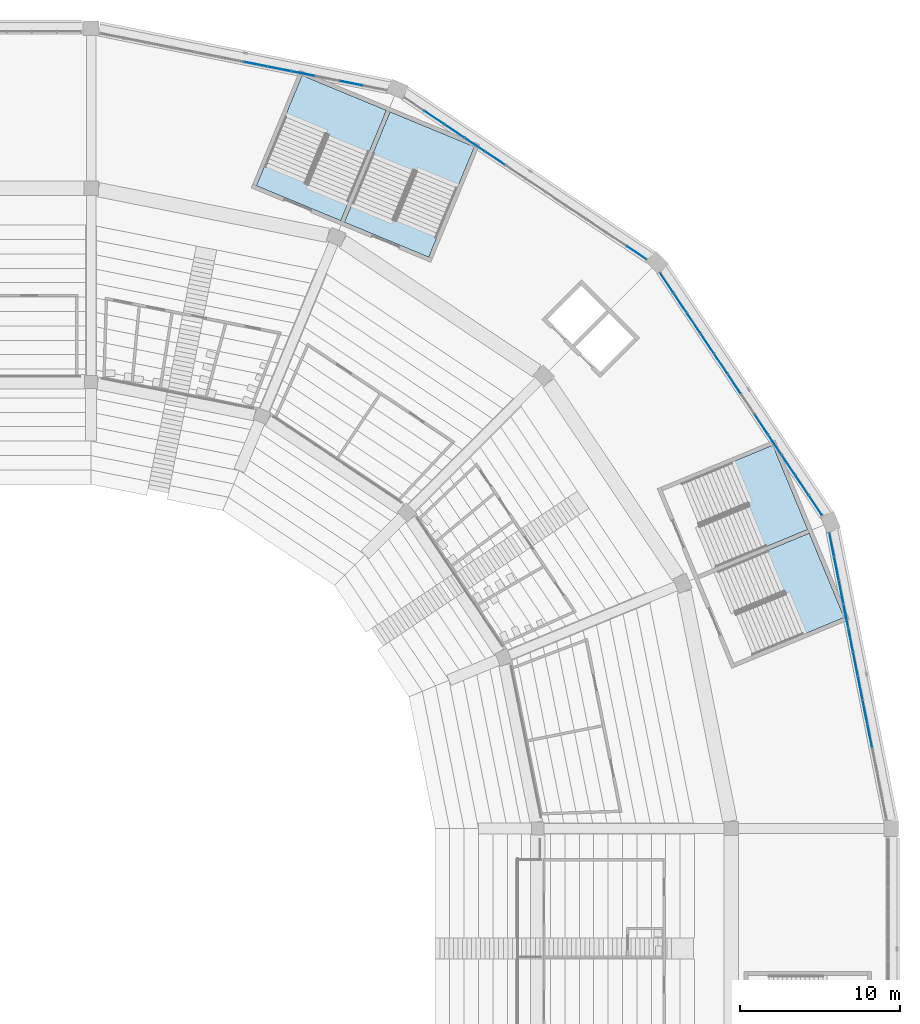
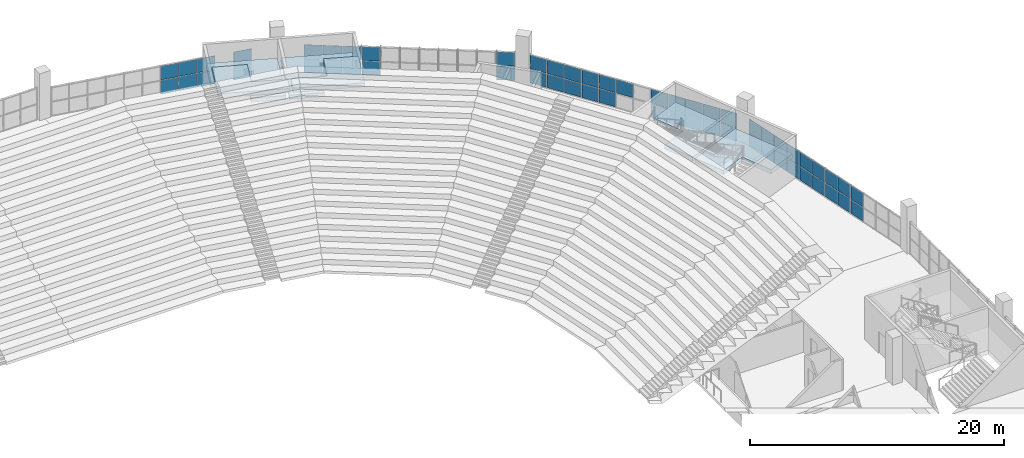
# One storey, part 83 of 249: 57 plates, 6 slabs, 8 elements without a shape of their own.
"""IFC4 building model written with IfcOpenShell, lengths in metres."""

import ifcopenshell
import ifcopenshell.guid

model = None  # the IFC model being written
_history = None  # IfcOwnerHistory: only IFC2X3 demands one
_inside = {}  # id of a spatial element -> (the spatial element, [elements in it])
_under = {}  # id of a project, library or spatial element -> (it, [spatial elements below it])
_declared = {}  # id of a project -> (the project, [libraries it declares])
_typed = {}  # id of a type object -> (the type object, [elements of that type])
_made_of = {}  # id of a material, layer set ... -> (it, [elements and type objects made of it])


def new_model(schema):
    """Start an empty IFC model of exactly this schema.

    Asked for "IFC4X3", IfcOpenShell would pick the latest addendum, in which some entities
    have other attributes; the version numbers below select the first issue.
    IFC2X3 requires an IfcOwnerHistory on every rooted entity: one is made here for all.
    """
    global model, _history
    if schema == "IFC4X3":
        model = ifcopenshell.file(schema_version=(4, 3, 0, 0))
    else:
        model = ifcopenshell.file(schema=schema)
    _inside.clear()
    _under.clear()
    _declared.clear()
    _typed.clear()
    _made_of.clear()
    _history = None
    if model.schema == "IFC2X3":
        org = make("IfcOrganization", Name="unknown")
        user = make(
            "IfcPersonAndOrganization",
            ThePerson=make("IfcPerson", FamilyName="unknown"),
            TheOrganization=org,
        )
        app = make(
            "IfcApplication",
            ApplicationDeveloper=org,
            Version="unknown",
            ApplicationFullName="unknown",
            ApplicationIdentifier="unknown",
        )
        _history = make(
            "IfcOwnerHistory",
            OwningUser=user,
            OwningApplication=app,
            ChangeAction="ADDED",
            CreationDate=0,
        )
    return model


def make(cls, **values):
    """One entity of the class cls with the attributes given. An attribute that is None is left unset."""
    return model.create_entity(
        cls, **{name: value for name, value in values.items() if value is not None}
    )


def rooted(cls, **values):
    """An entity with a GlobalId (a new one), such as an element, a storey or a relation."""
    return make(cls, GlobalId=ifcopenshell.guid.new(), OwnerHistory=_history, **values)


def si_unit(unit_type, name, prefix=None):
    """IfcSIUnit, for example si_unit("LENGTHUNIT", "METRE", prefix="MILLI")."""
    return make("IfcSIUnit", UnitType=unit_type, Prefix=prefix, Name=name)


def assignment(units):
    """IfcUnitAssignment: the units of a project."""
    return None if units is None else make("IfcUnitAssignment", Units=units)


def point(xyz):
    """IfcCartesianPoint."""
    return None if xyz is None else make("IfcCartesianPoint", Coordinates=xyz)


def direction(xyz):
    """IfcDirection."""
    return None if xyz is None else make("IfcDirection", DirectionRatios=xyz)


def frame(location, z_axis=None, x_axis=None):
    """IfcAxis2Placement3D, a coordinate frame: its origin and axes. An axis left out is left unset."""
    return make(
        "IfcAxis2Placement3D",
        Location=point(location),
        Axis=direction(z_axis),
        RefDirection=direction(x_axis),
    )


def frame_2d(location, x_axis=None):
    """IfcAxis2Placement2D, a coordinate frame in the plane: its origin and x axis."""
    return make(
        "IfcAxis2Placement2D", Location=point(location), RefDirection=direction(x_axis)
    )


def origin():
    """The frame at (0, 0, 0) with its axes left unset."""
    return frame((0.0, 0.0, 0.0))


def origin_2d():
    """The frame at (0, 0) in the plane with its x axis left unset."""
    return frame_2d((0.0, 0.0))


def place(relative_to, where):
    """IfcLocalPlacement: puts the frame where relative to a parent placement (None: the world)."""
    return make(
        "IfcLocalPlacement", PlacementRelTo=relative_to, RelativePlacement=where
    )


def context(
    kind, dimensions, precision=None, world=None, true_north=None, identifier=None
):
    """IfcGeometricRepresentationContext, for example the 3D "Model" context."""
    return make(
        "IfcGeometricRepresentationContext",
        ContextIdentifier=identifier,
        ContextType=kind,
        CoordinateSpaceDimension=dimensions,
        Precision=precision,
        WorldCoordinateSystem=world,
        TrueNorth=true_north,
    )


def subcontext(parent, identifier, kind, view, scale=None):
    """IfcGeometricRepresentationSubContext, for example "Body" below "Model"."""
    return make(
        "IfcGeometricRepresentationSubContext",
        ContextIdentifier=identifier,
        ContextType=kind,
        ParentContext=parent,
        TargetScale=scale,
        TargetView=view,
    )


def project(units=None, contexts=None):
    """IfcProject with its units and contexts."""
    return rooted(
        "IfcProject",
        Name="project",
        RepresentationContexts=contexts,
        UnitsInContext=assignment(units),
    )


def spatial(cls, under=None, at=None, **own):
    """A site, building, storey or space (cls), placed at a placement, below another one or the project."""
    s = rooted(cls, ObjectPlacement=at, **own)
    if under is not None:
        _under.setdefault(under.id(), (under, []))[1].append(s)
    return s


def polyline(points):
    """IfcPolyline through the points."""
    return make("IfcPolyline", Points=[point(p) for p in points])


def profile(cls, at=None, kind="AREA", **sizes):
    """A parametric profile (cls). Its sizes go by their IFC names, for example OverallWidth=200.0."""
    return make(cls, ProfileType=kind, Position=at, **sizes)


def rectangle(**sizes):
    """IfcRectangleProfileDef."""
    return profile("IfcRectangleProfileDef", **sizes)


def outline(outer, holes=None, kind="AREA"):
    """IfcArbitraryClosedProfileDef: a profile drawn as a closed curve; with holes, ...WithVoids."""
    if holes is None:
        return make("IfcArbitraryClosedProfileDef", ProfileType=kind, OuterCurve=outer)
    return make(
        "IfcArbitraryProfileDefWithVoids",
        ProfileType=kind,
        OuterCurve=outer,
        InnerCurves=holes,
    )


def extrude(swept, where, along, depth):
    """IfcExtrudedAreaSolid: the profile swept, set in the frame where, extruded along a direction by depth."""
    return make(
        "IfcExtrudedAreaSolid",
        SweptArea=swept,
        Position=where,
        ExtrudedDirection=direction(along),
        Depth=depth,
    )


def shape(context_of_items, identifier, shape_type, items):
    """IfcShapeRepresentation: the items that make up one representation, for example the "Body"."""
    return make(
        "IfcShapeRepresentation",
        ContextOfItems=context_of_items,
        RepresentationIdentifier=identifier,
        RepresentationType=shape_type,
        Items=items,
    )


def material(Name=None, Category=None):
    """IfcMaterial."""
    return make("IfcMaterial", Name=Name, Category=Category)


def layer(
    of_material, thickness, ventilated=None, Name=None, Category=None, Priority=None
):
    """IfcMaterialLayer: one layer of a wall or slab, of a material (None: an air gap)."""
    return make(
        "IfcMaterialLayer",
        Material=of_material,
        LayerThickness=thickness,
        IsVentilated=ventilated,
        Name=Name,
        Category=Category,
        Priority=Priority,
    )


def layer_set(layers, Name=None):
    """IfcMaterialLayerSet."""
    return make("IfcMaterialLayerSet", MaterialLayers=layers, LayerSetName=Name)


def made_of(thing, what):
    """Note that an element or type object is made of a material, layer set ...; save() writes the relation."""
    if what is not None:
        _made_of.setdefault(what.id(), (what, []))[1].append(thing)
    return thing


def type_object(cls, material=None, **own):
    """A type object (cls), such as IfcWallType, which elements share."""
    return made_of(rooted(cls, **own), material)


def element(
    cls,
    number,
    at=None,
    inside=None,
    cuts=None,
    type_object=None,
    material=None,
    context=None,
    identifier="Body",
    shape_type=None,
    held_by="IfcProductDefinitionShape",
    body=None,
    shapes=None,
    **own,
):
    """One element of the class cls, such as IfcWall. Its Tag is "e" and its number.

    at: its placement. inside: the storey or other place that contains it. cuts: it is an
    opening in that element (IfcRelVoidsElement). A single representation is given by context,
    identifier, shape_type and body (its items); several are given by shapes. held_by: the class
    of the entity that holds the representations. save() writes the other relations.
    """
    e = rooted(cls, Tag="e%d" % number, ObjectPlacement=at, **own)
    if body is not None:
        shapes = [shape(context, identifier, shape_type, body)]
    if shapes is not None:
        e.Representation = make(held_by, Representations=shapes)
    if inside is not None:
        _inside.setdefault(inside.id(), (inside, []))[1].append(e)
    if cuts is not None:
        rooted(
            "IfcRelVoidsElement", RelatingBuildingElement=cuts, RelatedOpeningElement=e
        )
    if type_object is not None:
        _typed.setdefault(type_object.id(), (type_object, []))[1].append(e)
    return made_of(e, material)


def aggregate(whole, parts):
    """IfcRelAggregates: a whole, such as a stair, and the parts it consists of."""
    return rooted("IfcRelAggregates", RelatingObject=whole, RelatedObjects=parts)


def save(model, path):
    """Write the relations noted so far, then the file.

    IfcRelAggregates (storeys below a building ...), IfcRelContainedInSpatialStructure (elements
    in a storey), IfcRelDefinesByType, IfcRelAssociatesMaterial and IfcRelDeclares: one each for
    every whole, place, type object, material and project.
    """
    for whole, parts in _under.values():
        aggregate(whole, parts)
    for where, things in _inside.values():
        rooted(
            "IfcRelContainedInSpatialStructure",
            RelatedElements=things,
            RelatingStructure=where,
        )
    for kind, things in _typed.values():
        rooted("IfcRelDefinesByType", RelatedObjects=things, RelatingType=kind)
    for what, things in _made_of.values():
        rooted("IfcRelAssociatesMaterial", RelatedObjects=things, RelatingMaterial=what)
    for by, libraries in _declared.values():
        rooted("IfcRelDeclares", RelatingContext=by, RelatedDefinitions=libraries)
    model.write(path)


model = new_model("IFC4")

# Units and contexts
model_context = context("Model", 3, precision=1e-05, world=origin(), true_north=direction((0.0, 1.0)))
body_context = subcontext(model_context, "Body", "Model", "MODEL_VIEW")
ifc_project = project(units=[si_unit("LENGTHUNIT", "METRE"), si_unit("AREAUNIT", "SQUARE_METRE"), si_unit("VOLUMEUNIT", "CUBIC_METRE"), si_unit("PLANEANGLEUNIT", "RADIAN"), si_unit("MASSUNIT", "GRAM", prefix="KILO")], contexts=[model_context])

# Site, building, storey
site_placement = place(None, origin())
site = spatial("IfcSite", under=ifc_project, at=site_placement, CompositionType="ELEMENT")
building_placement = place(site_placement, origin())
building = spatial("IfcBuilding", under=site, at=building_placement, Name="Ogive Plaza Stadium", CompositionType="ELEMENT")
storey_placement = place(building_placement, frame((0.0, 0.0, 13.5)))
storey = spatial("IfcBuildingStorey", under=building, at=storey_placement, Name="L03", CompositionType="ELEMENT", Elevation=13.5)

# Curtain wall, plates
ifc_material_1 = material(Name="Bronze-anodised aluminium with laminated glass", Category="aluminium")
curtain_wall_type = type_object("IfcCurtainWallType", Name="Lancet curtain wall", PredefinedType="NOTDEFINED", material=ifc_material_1)
curtain_wall_1_placement = place(storey_placement, origin())
curtain_wall_1 = element("IfcCurtainWall", 1, at=curtain_wall_1_placement, inside=storey, type_object=curtain_wall_type, Name="CURTAIN WALL B37 L03", PredefinedType="NOTDEFINED")
ifc_material_2 = material(Name="Laminated glass", Category="glass")
ifc_layer_1 = layer(ifc_material_2, 0.028076171875)
ifc_layer_set_1 = layer_set([ifc_layer_1], Name="Laminated glass panel 28")
plate_type = type_object("IfcPlateType", Name="Laminated glass panel 28", PredefinedType="CURTAIN_PANEL", material=ifc_layer_set_1)
plate_1_placement = place(storey_placement, frame((44.274658203125, 100.25244140625, 0.0498046875), z_axis=(0.0, 0.0, 1.0), x_axis=(0.9807852804, -0.195090322033, 0.0)))
plate_1 = element("IfcPlate", 2, at=plate_1_placement, type_object=plate_type, Name="CW-B37-L03 panel 7.1", PredefinedType="CURTAIN_PANEL", context=body_context, shape_type="SweptSolid", body=[
    extrude(rectangle(XDim=1.472412109375, YDim=0.028076171875, at=origin_2d()), origin(), (0.0, 0.0, 1.0), 1.320068359375),
])
plate_2_placement = place(storey_placement, frame((44.274658203125, 100.25244140625, 1.419921875), z_axis=(0.0, 0.0, 1.0), x_axis=(0.9807852804, -0.195090322033, 0.0)))
plate_2 = element("IfcPlate", 3, at=plate_2_placement, type_object=plate_type, Name="CW-B37-L03 panel 7.2", PredefinedType="CURTAIN_PANEL", context=body_context, shape_type="SweptSolid", body=[
    extrude(rectangle(XDim=1.472412109375, YDim=0.028076171875, at=origin_2d()), origin(), (0.0, 0.0, 1.0), 1.320068359375),
])
plate_3_placement = place(storey_placement, frame((45.767822265625, 99.955322265625, 0.0498046875), z_axis=(0.0, 0.0, 1.0), x_axis=(0.9807852804, -0.195090322033, 0.0)))
plate_3 = element("IfcPlate", 4, at=plate_3_placement, type_object=plate_type, Name="CW-B37-L03 panel 8.1", PredefinedType="CURTAIN_PANEL", context=body_context, shape_type="SweptSolid", body=[
    extrude(rectangle(XDim=1.472412109375, YDim=0.028076171875, at=origin_2d()), origin(), (0.0, 0.0, 1.0), 1.320068359375),
])
plate_4_placement = place(storey_placement, frame((45.767822265625, 99.955322265625, 1.419921875), z_axis=(0.0, 0.0, 1.0), x_axis=(0.9807852804, -0.195090322033, 0.0)))
plate_4 = element("IfcPlate", 5, at=plate_4_placement, type_object=plate_type, Name="CW-B37-L03 panel 8.2", PredefinedType="CURTAIN_PANEL", context=body_context, shape_type="SweptSolid", body=[
    extrude(rectangle(XDim=1.472412109375, YDim=0.028076171875, at=origin_2d()), origin(), (0.0, 0.0, 1.0), 1.320068359375),
])
plate_5_placement = place(storey_placement, frame((47.2607421875, 99.658447265625, 0.0498046875), z_axis=(0.0, 0.0, 1.0), x_axis=(0.9807852804, -0.195090322033, 0.0)))
plate_5 = element("IfcPlate", 6, at=plate_5_placement, type_object=plate_type, Name="CW-B37-L03 panel 9.1", PredefinedType="CURTAIN_PANEL", context=body_context, shape_type="SweptSolid", body=[
    extrude(rectangle(XDim=1.472412109375, YDim=0.028076171875, at=origin_2d()), origin(), (0.0, 0.0, 1.0), 1.320068359375),
])
plate_6_placement = place(storey_placement, frame((47.2607421875, 99.658447265625, 1.419921875), z_axis=(0.0, 0.0, 1.0), x_axis=(0.9807852804, -0.195090322033, 0.0)))
plate_6 = element("IfcPlate", 7, at=plate_6_placement, type_object=plate_type, Name="CW-B37-L03 panel 9.2", PredefinedType="CURTAIN_PANEL", context=body_context, shape_type="SweptSolid", body=[
    extrude(rectangle(XDim=1.472412109375, YDim=0.028076171875, at=origin_2d()), origin(), (0.0, 0.0, 1.0), 1.320068359375),
])
plate_7_placement = place(storey_placement, frame((50.2470703125, 99.064453125, 0.0498046875), z_axis=(0.0, 0.0, 1.0), x_axis=(0.9807852804, -0.195090322033, 0.0)))
plate_7 = element("IfcPlate", 8, at=plate_7_placement, type_object=plate_type, Name="CW-B37-L03 panel 11.1", PredefinedType="CURTAIN_PANEL", context=body_context, shape_type="SweptSolid", body=[
    extrude(rectangle(XDim=1.472412109375, YDim=0.028076171875, at=origin_2d()), origin(), (0.0, 0.0, 1.0), 1.320068359375),
])
plate_8_placement = place(storey_placement, frame((50.2470703125, 99.064453125, 1.419921875), z_axis=(0.0, 0.0, 1.0), x_axis=(0.9807852804, -0.195090322033, 0.0)))
plate_8 = element("IfcPlate", 9, at=plate_8_placement, type_object=plate_type, Name="CW-B37-L03 panel 11.2", PredefinedType="CURTAIN_PANEL", context=body_context, shape_type="SweptSolid", body=[
    extrude(rectangle(XDim=1.472412109375, YDim=0.028076171875, at=origin_2d()), origin(), (0.0, 0.0, 1.0), 1.320068359375),
])
aggregate(curtain_wall_1, [plate_1, plate_2, plate_3, plate_4, plate_5, plate_6, plate_7, plate_8])

curtain_wall_2_placement = place(storey_placement, origin())
curtain_wall_2 = element("IfcCurtainWall", 10, at=curtain_wall_2_placement, inside=storey, type_object=curtain_wall_type, Name="CURTAIN WALL B38 L03", PredefinedType="NOTDEFINED")
plate_9_placement = place(storey_placement, frame((55.4375, 96.914306640625, 0.0498046875), z_axis=(0.0, 0.0, 1.0), x_axis=(0.831469612303, -0.55557023302, 0.0)))
plate_9 = element("IfcPlate", 11, at=plate_9_placement, type_object=plate_type, Name="CW-B38-L03 panel 2.1", PredefinedType="CURTAIN_PANEL", context=body_context, shape_type="SweptSolid", body=[
    extrude(rectangle(XDim=1.472412109375, YDim=0.028076171875, at=origin_2d()), origin(), (0.0, 0.0, 1.0), 1.320068359375),
])
plate_10_placement = place(storey_placement, frame((55.4375, 96.914306640625, 1.419921875), z_axis=(0.0, 0.0, 1.0), x_axis=(0.831469612303, -0.55557023302, 0.0)))
plate_10 = element("IfcPlate", 12, at=plate_10_placement, type_object=plate_type, Name="CW-B38-L03 panel 2.2", PredefinedType="CURTAIN_PANEL", context=body_context, shape_type="SweptSolid", body=[
    extrude(rectangle(XDim=1.472412109375, YDim=0.028076171875, at=origin_2d()), origin(), (0.0, 0.0, 1.0), 1.320068359375),
])
plate_11_placement = place(storey_placement, frame((56.703369140625, 96.068603515625, 0.0498046875), z_axis=(0.0, 0.0, 1.0), x_axis=(0.831469612303, -0.55557023302, 0.0)))
plate_11 = element("IfcPlate", 13, at=plate_11_placement, type_object=plate_type, Name="CW-B38-L03 panel 3.1", PredefinedType="CURTAIN_PANEL", context=body_context, shape_type="SweptSolid", body=[
    extrude(rectangle(XDim=1.472412109375, YDim=0.028076171875, at=origin_2d()), origin(), (0.0, 0.0, 1.0), 1.320068359375),
])
plate_12_placement = place(storey_placement, frame((56.703369140625, 96.068603515625, 1.419921875), z_axis=(0.0, 0.0, 1.0), x_axis=(0.831469612303, -0.55557023302, 0.0)))
plate_12 = element("IfcPlate", 14, at=plate_12_placement, type_object=plate_type, Name="CW-B38-L03 panel 3.2", PredefinedType="CURTAIN_PANEL", context=body_context, shape_type="SweptSolid", body=[
    extrude(rectangle(XDim=1.472412109375, YDim=0.028076171875, at=origin_2d()), origin(), (0.0, 0.0, 1.0), 1.320068359375),
])
plate_13_placement = place(storey_placement, frame((57.96923828125, 95.222900390625, 0.0498046875), z_axis=(0.0, 0.0, 1.0), x_axis=(0.831469612303, -0.55557023302, 0.0)))
plate_13 = element("IfcPlate", 15, at=plate_13_placement, type_object=plate_type, Name="CW-B38-L03 panel 4.1", PredefinedType="CURTAIN_PANEL", context=body_context, shape_type="SweptSolid", body=[
    extrude(rectangle(XDim=1.472412109375, YDim=0.028076171875, at=origin_2d()), origin(), (0.0, 0.0, 1.0), 1.320068359375),
])
plate_14_placement = place(storey_placement, frame((57.96923828125, 95.222900390625, 1.419921875), z_axis=(0.0, 0.0, 1.0), x_axis=(0.831469612303, -0.55557023302, 0.0)))
plate_14 = element("IfcPlate", 16, at=plate_14_placement, type_object=plate_type, Name="CW-B38-L03 panel 4.2", PredefinedType="CURTAIN_PANEL", context=body_context, shape_type="SweptSolid", body=[
    extrude(rectangle(XDim=1.472412109375, YDim=0.028076171875, at=origin_2d()), origin(), (0.0, 0.0, 1.0), 1.320068359375),
])
plate_15_placement = place(storey_placement, frame((59.23486328125, 94.376953125, 0.0498046875), z_axis=(0.0, 0.0, 1.0), x_axis=(0.831469612303, -0.55557023302, 0.0)))
plate_15 = element("IfcPlate", 17, at=plate_15_placement, type_object=plate_type, Name="CW-B38-L03 panel 5.1", PredefinedType="CURTAIN_PANEL", context=body_context, shape_type="SweptSolid", body=[
    extrude(rectangle(XDim=1.472412109375, YDim=0.028076171875, at=origin_2d()), origin(), (0.0, 0.0, 1.0), 1.320068359375),
])
plate_16_placement = place(storey_placement, frame((59.23486328125, 94.376953125, 1.419921875), z_axis=(0.0, 0.0, 1.0), x_axis=(0.831469612303, -0.55557023302, 0.0)))
plate_16 = element("IfcPlate", 18, at=plate_16_placement, type_object=plate_type, Name="CW-B38-L03 panel 5.2", PredefinedType="CURTAIN_PANEL", context=body_context, shape_type="SweptSolid", body=[
    extrude(rectangle(XDim=1.472412109375, YDim=0.028076171875, at=origin_2d()), origin(), (0.0, 0.0, 1.0), 1.320068359375),
])
plate_17_placement = place(storey_placement, frame((68.0849609375, 88.463623046875, 0.0498046875), z_axis=(0.0, 0.0, 1.0), x_axis=(0.831469612303, -0.55557023302, 0.0)))
plate_17 = element("IfcPlate", 19, at=plate_17_placement, type_object=plate_type, Name="CW-B38-L03 panel 12.1", PredefinedType="CURTAIN_PANEL", context=body_context, shape_type="SweptSolid", body=[
    extrude(rectangle(XDim=1.447265625, YDim=0.028076171875, at=origin_2d()), origin(), (0.0, 0.0, 1.0), 1.320068359375),
])
plate_18_placement = place(storey_placement, frame((68.0849609375, 88.463623046875, 1.419921875), z_axis=(0.0, 0.0, 1.0), x_axis=(0.831469612303, -0.55557023302, 0.0)))
plate_18 = element("IfcPlate", 20, at=plate_18_placement, type_object=plate_type, Name="CW-B38-L03 panel 12.2", PredefinedType="CURTAIN_PANEL", context=body_context, shape_type="SweptSolid", body=[
    extrude(rectangle(XDim=1.447265625, YDim=0.028076171875, at=origin_2d()), origin(), (0.0, 0.0, 1.0), 1.320068359375),
])
aggregate(curtain_wall_2, [plate_9, plate_10, plate_11, plate_12, plate_13, plate_14, plate_15, plate_16, plate_17, plate_18])

curtain_wall_3_placement = place(storey_placement, origin())
curtain_wall_3 = element("IfcCurtainWall", 21, at=curtain_wall_3_placement, inside=storey, type_object=curtain_wall_type, Name="CURTAIN WALL B39 L03", PredefinedType="NOTDEFINED")
plate_19_placement = place(storey_placement, frame((69.963623046875, 86.5849609375, 0.0498046875), z_axis=(0.0, 0.0, 1.0), x_axis=(0.55557023302, -0.831469612303, 0.0)))
plate_19 = element("IfcPlate", 22, at=plate_19_placement, type_object=plate_type, Name="CW-B39-L03 panel 1.1", PredefinedType="CURTAIN_PANEL", context=body_context, shape_type="SweptSolid", body=[
    extrude(rectangle(XDim=1.447265625, YDim=0.028076171875, at=origin_2d()), origin(), (0.0, 0.0, 1.0), 1.320068359375),
])
plate_20_placement = place(storey_placement, frame((69.963623046875, 86.5849609375, 1.419921875), z_axis=(0.0, 0.0, 1.0), x_axis=(0.55557023302, -0.831469612303, 0.0)))
plate_20 = element("IfcPlate", 23, at=plate_20_placement, type_object=plate_type, Name="CW-B39-L03 panel 1.2", PredefinedType="CURTAIN_PANEL", context=body_context, shape_type="SweptSolid", body=[
    extrude(rectangle(XDim=1.447265625, YDim=0.028076171875, at=origin_2d()), origin(), (0.0, 0.0, 1.0), 1.320068359375),
])
plate_21_placement = place(storey_placement, frame((70.802490234375, 85.32958984375, 0.0498046875), z_axis=(0.0, 0.0, 1.0), x_axis=(0.55557023302, -0.831469612303, 0.0)))
plate_21 = element("IfcPlate", 24, at=plate_21_placement, type_object=plate_type, Name="CW-B39-L03 panel 2.1", PredefinedType="CURTAIN_PANEL", context=body_context, shape_type="SweptSolid", body=[
    extrude(rectangle(XDim=1.472412109375, YDim=0.028076171875, at=origin_2d()), origin(), (0.0, 0.0, 1.0), 1.320068359375),
])
plate_22_placement = place(storey_placement, frame((70.802490234375, 85.32958984375, 1.419921875), z_axis=(0.0, 0.0, 1.0), x_axis=(0.55557023302, -0.831469612303, 0.0)))
plate_22 = element("IfcPlate", 25, at=plate_22_placement, type_object=plate_type, Name="CW-B39-L03 panel 2.2", PredefinedType="CURTAIN_PANEL", context=body_context, shape_type="SweptSolid", body=[
    extrude(rectangle(XDim=1.472412109375, YDim=0.028076171875, at=origin_2d()), origin(), (0.0, 0.0, 1.0), 1.320068359375),
])
plate_23_placement = place(storey_placement, frame((71.648193359375, 84.06396484375, 0.0498046875), z_axis=(0.0, 0.0, 1.0), x_axis=(0.55557023302, -0.831469612303, 0.0)))
plate_23 = element("IfcPlate", 26, at=plate_23_placement, type_object=plate_type, Name="CW-B39-L03 panel 3.1", PredefinedType="CURTAIN_PANEL", context=body_context, shape_type="SweptSolid", body=[
    extrude(rectangle(XDim=1.472412109375, YDim=0.028076171875, at=origin_2d()), origin(), (0.0, 0.0, 1.0), 1.320068359375),
])
plate_24_placement = place(storey_placement, frame((71.648193359375, 84.06396484375, 1.419921875), z_axis=(0.0, 0.0, 1.0), x_axis=(0.55557023302, -0.831469612303, 0.0)))
plate_24 = element("IfcPlate", 27, at=plate_24_placement, type_object=plate_type, Name="CW-B39-L03 panel 3.2", PredefinedType="CURTAIN_PANEL", context=body_context, shape_type="SweptSolid", body=[
    extrude(rectangle(XDim=1.472412109375, YDim=0.028076171875, at=origin_2d()), origin(), (0.0, 0.0, 1.0), 1.320068359375),
])
plate_25_placement = place(storey_placement, frame((72.493896484375, 82.798095703125, 0.0498046875), z_axis=(0.0, 0.0, 1.0), x_axis=(0.55557023302, -0.831469612303, 0.0)))
plate_25 = element("IfcPlate", 28, at=plate_25_placement, type_object=plate_type, Name="CW-B39-L03 panel 4.1", PredefinedType="CURTAIN_PANEL", context=body_context, shape_type="SweptSolid", body=[
    extrude(rectangle(XDim=1.472412109375, YDim=0.028076171875, at=origin_2d()), origin(), (0.0, 0.0, 1.0), 1.320068359375),
])
plate_26_placement = place(storey_placement, frame((72.493896484375, 82.798095703125, 1.419921875), z_axis=(0.0, 0.0, 1.0), x_axis=(0.55557023302, -0.831469612303, 0.0)))
plate_26 = element("IfcPlate", 29, at=plate_26_placement, type_object=plate_type, Name="CW-B39-L03 panel 4.2", PredefinedType="CURTAIN_PANEL", context=body_context, shape_type="SweptSolid", body=[
    extrude(rectangle(XDim=1.472412109375, YDim=0.028076171875, at=origin_2d()), origin(), (0.0, 0.0, 1.0), 1.320068359375),
])
plate_27_placement = place(storey_placement, frame((73.339599609375, 81.5322265625, 0.0498046875), z_axis=(0.0, 0.0, 1.0), x_axis=(0.55557023302, -0.831469612303, 0.0)))
plate_27 = element("IfcPlate", 30, at=plate_27_placement, type_object=plate_type, Name="CW-B39-L03 panel 5.1", PredefinedType="CURTAIN_PANEL", context=body_context, shape_type="SweptSolid", body=[
    extrude(rectangle(XDim=1.472412109375, YDim=0.028076171875, at=origin_2d()), origin(), (0.0, 0.0, 1.0), 1.320068359375),
])
plate_28_placement = place(storey_placement, frame((73.339599609375, 81.5322265625, 1.419921875), z_axis=(0.0, 0.0, 1.0), x_axis=(0.55557023302, -0.831469612303, 0.0)))
plate_28 = element("IfcPlate", 31, at=plate_28_placement, type_object=plate_type, Name="CW-B39-L03 panel 5.2", PredefinedType="CURTAIN_PANEL", context=body_context, shape_type="SweptSolid", body=[
    extrude(rectangle(XDim=1.472412109375, YDim=0.028076171875, at=origin_2d()), origin(), (0.0, 0.0, 1.0), 1.320068359375),
])
plate_29_placement = place(storey_placement, frame((74.185546875, 80.2666015625, 1.419921875), z_axis=(0.0, 0.0, 1.0), x_axis=(0.55557023302, -0.831469612303, 0.0)))
plate_29 = element("IfcPlate", 32, at=plate_29_placement, type_object=plate_type, Name="CW-B39-L03 panel 6.2", PredefinedType="CURTAIN_PANEL", context=body_context, shape_type="SweptSolid", body=[
    extrude(rectangle(XDim=1.472412109375, YDim=0.028076171875, at=origin_2d()), origin(), (0.0, 0.0, 1.0), 1.320068359375),
])
plate_30_placement = place(storey_placement, frame((75.876953125, 77.73486328125, 0.0498046875), z_axis=(0.0, 0.0, 1.0), x_axis=(0.55557023302, -0.831469612303, 0.0)))
plate_30 = element("IfcPlate", 33, at=plate_30_placement, type_object=plate_type, Name="CW-B39-L03 panel 8.1", PredefinedType="CURTAIN_PANEL", context=body_context, shape_type="SweptSolid", body=[
    extrude(rectangle(XDim=1.472412109375, YDim=0.028076171875, at=origin_2d()), origin(), (0.0, 0.0, 1.0), 1.320068359375),
])
plate_31_placement = place(storey_placement, frame((75.876953125, 77.73486328125, 1.419921875), z_axis=(0.0, 0.0, 1.0), x_axis=(0.55557023302, -0.831469612303, 0.0)))
plate_31 = element("IfcPlate", 34, at=plate_31_placement, type_object=plate_type, Name="CW-B39-L03 panel 8.2", PredefinedType="CURTAIN_PANEL", context=body_context, shape_type="SweptSolid", body=[
    extrude(rectangle(XDim=1.472412109375, YDim=0.028076171875, at=origin_2d()), origin(), (0.0, 0.0, 1.0), 1.320068359375),
])
plate_32_placement = place(storey_placement, frame((76.722900390625, 76.46923828125, 0.0498046875), z_axis=(0.0, 0.0, 1.0), x_axis=(0.55557023302, -0.831469612303, 0.0)))
plate_32 = element("IfcPlate", 35, at=plate_32_placement, type_object=plate_type, Name="CW-B39-L03 panel 9.1", PredefinedType="CURTAIN_PANEL", context=body_context, shape_type="SweptSolid", body=[
    extrude(rectangle(XDim=1.472412109375, YDim=0.028076171875, at=origin_2d()), origin(), (0.0, 0.0, 1.0), 1.320068359375),
])
plate_33_placement = place(storey_placement, frame((76.722900390625, 76.46923828125, 1.419921875), z_axis=(0.0, 0.0, 1.0), x_axis=(0.55557023302, -0.831469612303, 0.0)))
plate_33 = element("IfcPlate", 36, at=plate_33_placement, type_object=plate_type, Name="CW-B39-L03 panel 9.2", PredefinedType="CURTAIN_PANEL", context=body_context, shape_type="SweptSolid", body=[
    extrude(rectangle(XDim=1.472412109375, YDim=0.028076171875, at=origin_2d()), origin(), (0.0, 0.0, 1.0), 1.320068359375),
])
plate_34_placement = place(storey_placement, frame((77.568603515625, 75.203369140625, 0.0498046875), z_axis=(0.0, 0.0, 1.0), x_axis=(0.55557023302, -0.831469612303, 0.0)))
plate_34 = element("IfcPlate", 37, at=plate_34_placement, type_object=plate_type, Name="CW-B39-L03 panel 10.1", PredefinedType="CURTAIN_PANEL", context=body_context, shape_type="SweptSolid", body=[
    extrude(rectangle(XDim=1.472412109375, YDim=0.028076171875, at=origin_2d()), origin(), (0.0, 0.0, 1.0), 1.320068359375),
])
plate_35_placement = place(storey_placement, frame((77.568603515625, 75.203369140625, 1.419921875), z_axis=(0.0, 0.0, 1.0), x_axis=(0.55557023302, -0.831469612303, 0.0)))
plate_35 = element("IfcPlate", 38, at=plate_35_placement, type_object=plate_type, Name="CW-B39-L03 panel 10.2", PredefinedType="CURTAIN_PANEL", context=body_context, shape_type="SweptSolid", body=[
    extrude(rectangle(XDim=1.472412109375, YDim=0.028076171875, at=origin_2d()), origin(), (0.0, 0.0, 1.0), 1.320068359375),
])
plate_36_placement = place(storey_placement, frame((78.414306640625, 73.9375, 0.0498046875), z_axis=(0.0, 0.0, 1.0), x_axis=(0.55557023302, -0.831469612303, 0.0)))
plate_36 = element("IfcPlate", 39, at=plate_36_placement, type_object=plate_type, Name="CW-B39-L03 panel 11.1", PredefinedType="CURTAIN_PANEL", context=body_context, shape_type="SweptSolid", body=[
    extrude(rectangle(XDim=1.472412109375, YDim=0.028076171875, at=origin_2d()), origin(), (0.0, 0.0, 1.0), 1.320068359375),
])
plate_37_placement = place(storey_placement, frame((78.414306640625, 73.9375, 1.419921875), z_axis=(0.0, 0.0, 1.0), x_axis=(0.55557023302, -0.831469612303, 0.0)))
plate_37 = element("IfcPlate", 40, at=plate_37_placement, type_object=plate_type, Name="CW-B39-L03 panel 11.2", PredefinedType="CURTAIN_PANEL", context=body_context, shape_type="SweptSolid", body=[
    extrude(rectangle(XDim=1.472412109375, YDim=0.028076171875, at=origin_2d()), origin(), (0.0, 0.0, 1.0), 1.320068359375),
])
plate_38_placement = place(storey_placement, frame((79.253173828125, 72.68212890625, 0.0498046875), z_axis=(0.0, 0.0, 1.0), x_axis=(0.55557023302, -0.831469612303, 0.0)))
plate_38 = element("IfcPlate", 41, at=plate_38_placement, type_object=plate_type, Name="CW-B39-L03 panel 12.1", PredefinedType="CURTAIN_PANEL", context=body_context, shape_type="SweptSolid", body=[
    extrude(rectangle(XDim=1.447265625, YDim=0.028076171875, at=origin_2d()), origin(), (0.0, 0.0, 1.0), 1.320068359375),
])
plate_39_placement = place(storey_placement, frame((79.253173828125, 72.68212890625, 1.419921875), z_axis=(0.0, 0.0, 1.0), x_axis=(0.55557023302, -0.831469612303, 0.0)))
plate_39 = element("IfcPlate", 42, at=plate_39_placement, type_object=plate_type, Name="CW-B39-L03 panel 12.2", PredefinedType="CURTAIN_PANEL", context=body_context, shape_type="SweptSolid", body=[
    extrude(rectangle(XDim=1.447265625, YDim=0.028076171875, at=origin_2d()), origin(), (0.0, 0.0, 1.0), 1.320068359375),
])
aggregate(curtain_wall_3, [plate_19, plate_20, plate_21, plate_22, plate_23, plate_24, plate_25, plate_26, plate_27, plate_28, plate_29, plate_30, plate_31, plate_32, plate_33, plate_34, plate_35, plate_36, plate_37, plate_38, plate_39])

curtain_wall_4_placement = place(storey_placement, origin())
curtain_wall_4 = element("IfcCurtainWall", 43, at=curtain_wall_4_placement, inside=storey, type_object=curtain_wall_type, Name="CURTAIN WALL B40 L03", PredefinedType="NOTDEFINED")
plate_40_placement = place(storey_placement, frame((80.269775390625, 70.227783203125, 0.0498046875), z_axis=(0.0, 0.0, 1.0), x_axis=(0.195090322033, -0.9807852804, 0.0)))
plate_40 = element("IfcPlate", 44, at=plate_40_placement, type_object=plate_type, Name="CW-B40-L03 panel 1.1", PredefinedType="CURTAIN_PANEL", context=body_context, shape_type="SweptSolid", body=[
    extrude(rectangle(XDim=1.447265625, YDim=0.028076171875, at=origin_2d()), origin(), (0.0, 0.0, 1.0), 1.320068359375),
])
plate_41_placement = place(storey_placement, frame((80.269775390625, 70.227783203125, 1.419921875), z_axis=(0.0, 0.0, 1.0), x_axis=(0.195090322033, -0.9807852804, 0.0)))
plate_41 = element("IfcPlate", 45, at=plate_41_placement, type_object=plate_type, Name="CW-B40-L03 panel 1.2", PredefinedType="CURTAIN_PANEL", context=body_context, shape_type="SweptSolid", body=[
    extrude(rectangle(XDim=1.447265625, YDim=0.028076171875, at=origin_2d()), origin(), (0.0, 0.0, 1.0), 1.320068359375),
])
plate_42_placement = place(storey_placement, frame((80.564453125, 68.7470703125, 0.0498046875), z_axis=(0.0, 0.0, 1.0), x_axis=(0.195090322033, -0.9807852804, 0.0)))
plate_42 = element("IfcPlate", 46, at=plate_42_placement, type_object=plate_type, Name="CW-B40-L03 panel 2.1", PredefinedType="CURTAIN_PANEL", context=body_context, shape_type="SweptSolid", body=[
    extrude(rectangle(XDim=1.472412109375, YDim=0.028076171875, at=origin_2d()), origin(), (0.0, 0.0, 1.0), 1.320068359375),
])
plate_43_placement = place(storey_placement, frame((80.564453125, 68.7470703125, 1.419921875), z_axis=(0.0, 0.0, 1.0), x_axis=(0.195090322033, -0.9807852804, 0.0)))
plate_43 = element("IfcPlate", 47, at=plate_43_placement, type_object=plate_type, Name="CW-B40-L03 panel 2.2", PredefinedType="CURTAIN_PANEL", context=body_context, shape_type="SweptSolid", body=[
    extrude(rectangle(XDim=1.472412109375, YDim=0.028076171875, at=origin_2d()), origin(), (0.0, 0.0, 1.0), 1.320068359375),
])
plate_44_placement = place(storey_placement, frame((80.861328125, 67.25390625, 0.0498046875), z_axis=(0.0, 0.0, 1.0), x_axis=(0.195090322033, -0.9807852804, 0.0)))
plate_44 = element("IfcPlate", 48, at=plate_44_placement, type_object=plate_type, Name="CW-B40-L03 panel 3.1", PredefinedType="CURTAIN_PANEL", context=body_context, shape_type="SweptSolid", body=[
    extrude(rectangle(XDim=1.472412109375, YDim=0.028076171875, at=origin_2d()), origin(), (0.0, 0.0, 1.0), 1.320068359375),
])
plate_45_placement = place(storey_placement, frame((80.861328125, 67.25390625, 1.419921875), z_axis=(0.0, 0.0, 1.0), x_axis=(0.195090322033, -0.9807852804, 0.0)))
plate_45 = element("IfcPlate", 49, at=plate_45_placement, type_object=plate_type, Name="CW-B40-L03 panel 3.2", PredefinedType="CURTAIN_PANEL", context=body_context, shape_type="SweptSolid", body=[
    extrude(rectangle(XDim=1.472412109375, YDim=0.028076171875, at=origin_2d()), origin(), (0.0, 0.0, 1.0), 1.320068359375),
])
plate_46_placement = place(storey_placement, frame((81.158447265625, 65.7607421875, 0.0498046875), z_axis=(0.0, 0.0, 1.0), x_axis=(0.195090322033, -0.9807852804, 0.0)))
plate_46 = element("IfcPlate", 50, at=plate_46_placement, type_object=plate_type, Name="CW-B40-L03 panel 4.1", PredefinedType="CURTAIN_PANEL", context=body_context, shape_type="SweptSolid", body=[
    extrude(rectangle(XDim=1.472412109375, YDim=0.028076171875, at=origin_2d()), origin(), (0.0, 0.0, 1.0), 1.320068359375),
])
plate_47_placement = place(storey_placement, frame((81.158447265625, 65.7607421875, 1.419921875), z_axis=(0.0, 0.0, 1.0), x_axis=(0.195090322033, -0.9807852804, 0.0)))
plate_47 = element("IfcPlate", 51, at=plate_47_placement, type_object=plate_type, Name="CW-B40-L03 panel 4.2", PredefinedType="CURTAIN_PANEL", context=body_context, shape_type="SweptSolid", body=[
    extrude(rectangle(XDim=1.472412109375, YDim=0.028076171875, at=origin_2d()), origin(), (0.0, 0.0, 1.0), 1.320068359375),
])
plate_48_placement = place(storey_placement, frame((81.455322265625, 64.267822265625, 0.0498046875), z_axis=(0.0, 0.0, 1.0), x_axis=(0.195090322033, -0.9807852804, 0.0)))
plate_48 = element("IfcPlate", 52, at=plate_48_placement, type_object=plate_type, Name="CW-B40-L03 panel 5.1", PredefinedType="CURTAIN_PANEL", context=body_context, shape_type="SweptSolid", body=[
    extrude(rectangle(XDim=1.472412109375, YDim=0.028076171875, at=origin_2d()), origin(), (0.0, 0.0, 1.0), 1.320068359375),
])
plate_49_placement = place(storey_placement, frame((81.455322265625, 64.267822265625, 1.419921875), z_axis=(0.0, 0.0, 1.0), x_axis=(0.195090322033, -0.9807852804, 0.0)))
plate_49 = element("IfcPlate", 53, at=plate_49_placement, type_object=plate_type, Name="CW-B40-L03 panel 5.2", PredefinedType="CURTAIN_PANEL", context=body_context, shape_type="SweptSolid", body=[
    extrude(rectangle(XDim=1.472412109375, YDim=0.028076171875, at=origin_2d()), origin(), (0.0, 0.0, 1.0), 1.320068359375),
])
plate_50_placement = place(storey_placement, frame((81.75244140625, 62.774658203125, 0.0498046875), z_axis=(0.0, 0.0, 1.0), x_axis=(0.195090322033, -0.9807852804, 0.0)))
plate_50 = element("IfcPlate", 54, at=plate_50_placement, type_object=plate_type, Name="CW-B40-L03 panel 6.1", PredefinedType="CURTAIN_PANEL", context=body_context, shape_type="SweptSolid", body=[
    extrude(rectangle(XDim=1.472412109375, YDim=0.028076171875, at=origin_2d()), origin(), (0.0, 0.0, 1.0), 1.320068359375),
])
plate_51_placement = place(storey_placement, frame((81.75244140625, 62.774658203125, 1.419921875), z_axis=(0.0, 0.0, 1.0), x_axis=(0.195090322033, -0.9807852804, 0.0)))
plate_51 = element("IfcPlate", 55, at=plate_51_placement, type_object=plate_type, Name="CW-B40-L03 panel 6.2", PredefinedType="CURTAIN_PANEL", context=body_context, shape_type="SweptSolid", body=[
    extrude(rectangle(XDim=1.472412109375, YDim=0.028076171875, at=origin_2d()), origin(), (0.0, 0.0, 1.0), 1.320068359375),
])
plate_52_placement = place(storey_placement, frame((82.04931640625, 61.281494140625, 0.0498046875), z_axis=(0.0, 0.0, 1.0), x_axis=(0.195090322033, -0.9807852804, 0.0)))
plate_52 = element("IfcPlate", 56, at=plate_52_placement, type_object=plate_type, Name="CW-B40-L03 panel 7.1", PredefinedType="CURTAIN_PANEL", context=body_context, shape_type="SweptSolid", body=[
    extrude(rectangle(XDim=1.472412109375, YDim=0.028076171875, at=origin_2d()), origin(), (0.0, 0.0, 1.0), 1.320068359375),
])
plate_53_placement = place(storey_placement, frame((82.04931640625, 61.281494140625, 1.419921875), z_axis=(0.0, 0.0, 1.0), x_axis=(0.195090322033, -0.9807852804, 0.0)))
plate_53 = element("IfcPlate", 57, at=plate_53_placement, type_object=plate_type, Name="CW-B40-L03 panel 7.2", PredefinedType="CURTAIN_PANEL", context=body_context, shape_type="SweptSolid", body=[
    extrude(rectangle(XDim=1.472412109375, YDim=0.028076171875, at=origin_2d()), origin(), (0.0, 0.0, 1.0), 1.320068359375),
])
plate_54_placement = place(storey_placement, frame((82.346435546875, 59.788330078125, 0.0498046875), z_axis=(0.0, 0.0, 1.0), x_axis=(0.195090322033, -0.9807852804, 0.0)))
plate_54 = element("IfcPlate", 58, at=plate_54_placement, type_object=plate_type, Name="CW-B40-L03 panel 8.1", PredefinedType="CURTAIN_PANEL", context=body_context, shape_type="SweptSolid", body=[
    extrude(rectangle(XDim=1.472412109375, YDim=0.028076171875, at=origin_2d()), origin(), (0.0, 0.0, 1.0), 1.320068359375),
])
plate_55_placement = place(storey_placement, frame((82.346435546875, 59.788330078125, 1.419921875), z_axis=(0.0, 0.0, 1.0), x_axis=(0.195090322033, -0.9807852804, 0.0)))
plate_55 = element("IfcPlate", 59, at=plate_55_placement, type_object=plate_type, Name="CW-B40-L03 panel 8.2", PredefinedType="CURTAIN_PANEL", context=body_context, shape_type="SweptSolid", body=[
    extrude(rectangle(XDim=1.472412109375, YDim=0.028076171875, at=origin_2d()), origin(), (0.0, 0.0, 1.0), 1.320068359375),
])
plate_56_placement = place(storey_placement, frame((82.643310546875, 58.29541015625, 0.0498046875), z_axis=(0.0, 0.0, 1.0), x_axis=(0.195090322033, -0.9807852804, 0.0)))
plate_56 = element("IfcPlate", 60, at=plate_56_placement, type_object=plate_type, Name="CW-B40-L03 panel 9.1", PredefinedType="CURTAIN_PANEL", context=body_context, shape_type="SweptSolid", body=[
    extrude(rectangle(XDim=1.472412109375, YDim=0.028076171875, at=origin_2d()), origin(), (0.0, 0.0, 1.0), 1.320068359375),
])
plate_57_placement = place(storey_placement, frame((82.643310546875, 58.29541015625, 1.419921875), z_axis=(0.0, 0.0, 1.0), x_axis=(0.195090322033, -0.9807852804, 0.0)))
plate_57 = element("IfcPlate", 61, at=plate_57_placement, type_object=plate_type, Name="CW-B40-L03 panel 9.2", PredefinedType="CURTAIN_PANEL", context=body_context, shape_type="SweptSolid", body=[
    extrude(rectangle(XDim=1.472412109375, YDim=0.028076171875, at=origin_2d()), origin(), (0.0, 0.0, 1.0), 1.320068359375),
])
aggregate(curtain_wall_4, [plate_40, plate_41, plate_42, plate_43, plate_44, plate_45, plate_46, plate_47, plate_48, plate_49, plate_50, plate_51, plate_52, plate_53, plate_54, plate_55, plate_56, plate_57])

# Stair, slabs
ifc_material_3 = material(Name="Concrete C40/50", Category="concrete")
stair_type = type_object("IfcStairType", Name="Exit stair", PredefinedType="STRAIGHT_RUN_STAIR", material=ifc_material_3)
stair_1_placement = place(storey_placement, origin())
stair_1 = element("IfcStair", 62, at=stair_1_placement, inside=storey, type_object=stair_type, Name="Exit stair ST38A L03 to L04", PredefinedType="STRAIGHT_RUN_STAIR")
ifc_material_4 = material(Name="Concrete C40/50", Category="concrete")
ifc_layer_2 = layer(ifc_material_4, 0.39990234375)
ifc_layer_set_2 = layer_set([ifc_layer_2], Name="Concrete C40/50")
slab_type = type_object("IfcSlabType", Name="Stair landing", PredefinedType="LANDING", material=ifc_layer_set_2)
slab_1_placement = place(storey_placement, frame((0.0, 0.0, 1.85009765625)))
slab_1 = element("IfcSlab", 63, at=slab_1_placement, type_object=slab_type, Name="ST38A landing 1", PredefinedType="LANDING", context=body_context, shape_type="SweptSolid", body=[
    extrude(outline(polyline([(52.679443359375, 97.26953125), (57.945556640625, 95.08837890625), (56.8740234375, 92.50146484375), (54.19482421875, 93.611083984375), (53.2763671875, 91.393798828125), (50.689453125, 92.46533203125), (51.60791015625, 94.6826171875), (52.679443359375, 97.26953125)])), origin(), (0.0, 0.0, 1.0), 0.39990234375),
])
slab_2_placement = place(storey_placement, frame((0.0, 0.0, 4.10009765625)))
slab_2 = element("IfcSlab", 64, at=slab_2_placement, type_object=slab_type, Name="ST38A landing 2", PredefinedType="LANDING", context=body_context, shape_type="SweptSolid", body=[
    extrude(outline(polyline([(53.919921875, 92.68603515625), (56.506591796875, 91.614501953125), (55.588134765625, 89.397216796875), (55.0908203125, 88.196044921875), (49.82470703125, 90.37744140625), (50.322021484375, 91.578369140625), (53.00146484375, 90.46875), (53.919921875, 92.68603515625)])), origin(), (0.0, 0.0, 1.0), 0.39990234375),
])
aggregate(stair_1, [slab_1, slab_2])

stair_2_placement = place(storey_placement, origin())
stair_2 = element("IfcStair", 65, at=stair_2_placement, inside=storey, type_object=stair_type, Name="Exit stair ST38B L03 to L04", PredefinedType="STRAIGHT_RUN_STAIR")
slab_3_placement = place(storey_placement, frame((0.0, 0.0, 1.85009765625)))
slab_3 = element("IfcSlab", 66, at=slab_3_placement, type_object=slab_type, Name="ST38B landing 1", PredefinedType="LANDING", context=body_context, shape_type="SweptSolid", body=[
    extrude(outline(polyline([(50.45849609375, 92.56103515625), (47.87158203125, 93.632568359375), (48.7900390625, 95.849853515625), (46.11083984375, 96.959716796875), (47.182373046875, 99.546630859375), (52.448486328125, 97.365234375), (51.376953125, 94.7783203125), (50.45849609375, 92.56103515625)])), origin(), (0.0, 0.0, 1.0), 0.39990234375),
])
slab_4_placement = place(storey_placement, frame((0.0, 0.0, 4.10009765625)))
slab_4 = element("IfcSlab", 67, at=slab_4_placement, type_object=slab_type, Name="ST38B landing 2", PredefinedType="LANDING", context=body_context, shape_type="SweptSolid", body=[
    extrude(outline(polyline([(50.091064453125, 91.674072265625), (49.59375, 90.47314453125), (44.32763671875, 92.654296875), (44.824951171875, 93.85546875), (45.743408203125, 96.07275390625), (48.330322265625, 95.001220703125), (47.411865234375, 92.783935546875), (50.091064453125, 91.674072265625)])), origin(), (0.0, 0.0, 1.0), 0.39990234375),
])
aggregate(stair_2, [slab_3, slab_4])

# Stair, slab
stair_3_placement = place(storey_placement, origin())
stair_3 = element("IfcStair", 68, at=stair_3_placement, inside=storey, type_object=stair_type, Name="Exit stair ST40A L03 to L04", PredefinedType="STRAIGHT_RUN_STAIR")
slab_5_placement = place(storey_placement, frame((0.0, 0.0, 1.85009765625)))
slab_5 = element("IfcSlab", 69, at=slab_5_placement, type_object=slab_type, Name="ST40A landing 1", PredefinedType="LANDING", context=body_context, shape_type="SweptSolid", body=[
    extrude(outline(polyline([(78.865234375, 70.948486328125), (81.046630859375, 65.682373046875), (78.459716796875, 64.61083984375), (77.349853515625, 67.2900390625), (75.132568359375, 66.37158203125), (74.06103515625, 68.95849609375), (76.2783203125, 69.876953125), (78.865234375, 70.948486328125)])), origin(), (0.0, 0.0, 1.0), 0.39990234375),
])
aggregate(stair_3, [slab_5])

stair_4_placement = place(storey_placement, origin())
stair_4 = element("IfcStair", 70, at=stair_4_placement, inside=storey, type_object=stair_type, Name="Exit stair ST40B L03 to L04", PredefinedType="STRAIGHT_RUN_STAIR")
slab_6_placement = place(storey_placement, frame((0.0, 0.0, 1.85009765625)))
slab_6 = element("IfcSlab", 71, at=slab_6_placement, type_object=slab_type, Name="ST40B landing 1", PredefinedType="LANDING", context=body_context, shape_type="SweptSolid", body=[
    extrude(outline(polyline([(73.96533203125, 69.189453125), (72.893798828125, 71.7763671875), (75.111083984375, 72.69482421875), (74.00146484375, 75.3740234375), (76.58837890625, 76.445556640625), (78.76953125, 71.179443359375), (76.1826171875, 70.10791015625), (73.96533203125, 69.189453125)])), origin(), (0.0, 0.0, 1.0), 0.39990234375),
])
aggregate(stair_4, [slab_6])

save(model, "model.ifc")
